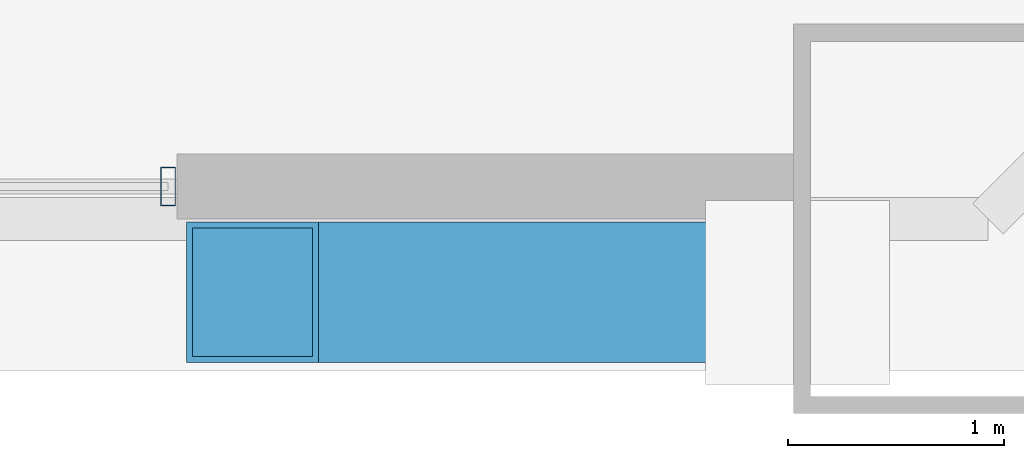
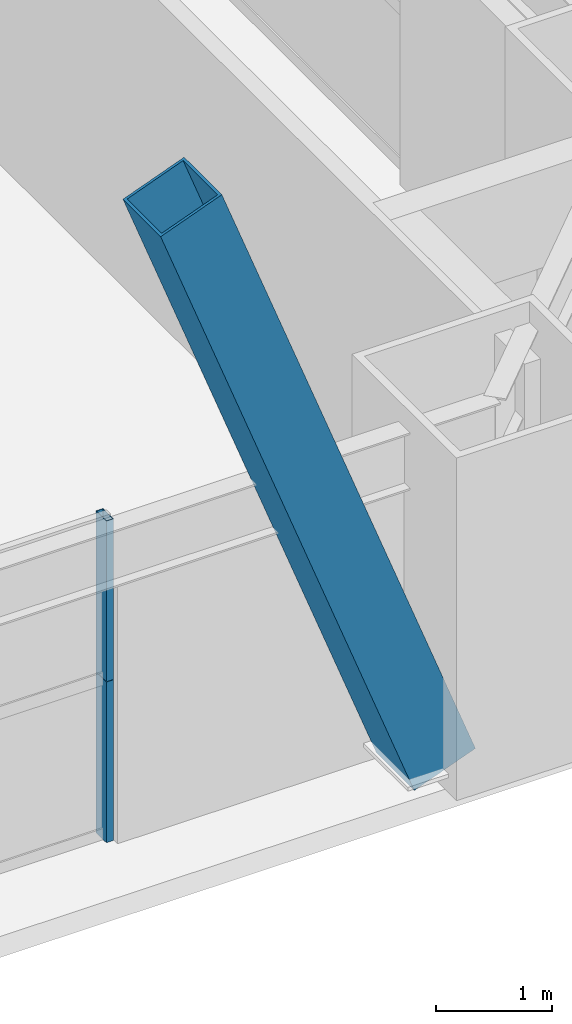
# One storey, part 15 of 43: 3 members, 1 element without a shape of its own.
"""IFC4 building model written with IfcOpenShell, lengths in metres."""

from ifc_helpers import new_model, si_unit, direction, frame, origin, origin_2d, place, context, subcontext, project, spatial, hollow_rectangle, extrude, source, transform, mapped, material, layer, layer_set, material_profile, profile_set, type_object, element, aggregate, save


model = new_model("IFC4")

# Units and contexts
model_context = context("Model", 3, precision=1e-05, world=origin(), true_north=direction((0.0, 1.0)))
body_context = subcontext(model_context, "Body", "Model", "MODEL_VIEW")
ifc_project = project(units=[si_unit("LENGTHUNIT", "METRE"), si_unit("AREAUNIT", "SQUARE_METRE"), si_unit("VOLUMEUNIT", "CUBIC_METRE"), si_unit("PLANEANGLEUNIT", "RADIAN"), si_unit("MASSUNIT", "GRAM", prefix="KILO"), si_unit("THERMODYNAMICTEMPERATUREUNIT", "KELVIN"), si_unit("POWERUNIT", "WATT")], contexts=[model_context])

# Site, building, storey
site_placement = place(None, origin())
site = spatial("IfcSite", under=ifc_project, at=site_placement, CompositionType="ELEMENT")
building_placement = place(site_placement, origin())
building = spatial("IfcBuilding", under=site, at=building_placement, Name="Yuzanri Waterfront Tower", CompositionType="ELEMENT")
storey_placement = place(building_placement, frame((0.0, 0.0, 67.60009765625)))
storey = spatial("IfcBuildingStorey", under=building, at=storey_placement, Name="L17", CompositionType="ELEMENT", Elevation=67.60009765625)

# Member
ifc_material_1 = material(Name="Steel Q420GJC", Category="steel")
ifc_material_profile_1 = material_profile(ifc_material_1, hollow_rectangle(XDim=0.64990234375, YDim=0.64990234375, WallThickness=0.028076171875, at=origin_2d()), Name="RHS 650x650x28")
ifc_profile_set_1 = profile_set([ifc_material_profile_1], Name="Steel Q420GJC")
member_type_1 = type_object("IfcMemberType", Name="Mega Brace Lower Q420GJC RHS 650x650x28", PredefinedType="BRACE", material=ifc_profile_set_1)
shared_shape_1 = source(origin(), body_context, "Body", "SweptSolid", [
    extrude(hollow_rectangle(XDim=0.64990234375, YDim=0.64990234375, WallThickness=0.028076171875, at=origin_2d()), origin(), (0.0, 0.0, 1.0), 7.158203125),
])
member_1_placement = place(storey_placement, frame((57.6201171875, 0.360107421875, 0.179931640625), z_axis=(-0.352046480343, 0.0, 0.935982518896), x_axis=(0.0, -1.0, 0.0)))
element("IfcMember", 1, at=member_1_placement, inside=storey, type_object=member_type_1, Name="L17-L18 Perimeter Mega-Brace S-R", PredefinedType="BRACE", context=body_context, shape_type="MappedRepresentation", body=[
    mapped(shared_shape_1, transform((0.0, 0.0, 0.0), scale=1.0)),
])

# Curtain wall, members
ifc_material_2 = material(Name="Anodized Architectural Bronze", Category="metal")
ifc_layer = layer(ifc_material_2, 0.159912109375)
ifc_layer_set = layer_set([ifc_layer], Name="Anodized Architectural Bronze")
curtain_wall_type = type_object("IfcCurtainWallType", Name="Anodized Bronze Hotel Lower-Tier Recessed Unitized Curtain Wall 8100", PredefinedType="NOTDEFINED", material=ifc_layer_set)
curtain_wall_placement = place(storey_placement, origin())
curtain_wall = element("IfcCurtainWall", 2, at=curtain_wall_placement, inside=storey, type_object=curtain_wall_type, Name="L17 Curtain Wall CW-L17-SR", PredefinedType="NOTDEFINED")
ifc_material_3 = material(Name="Anodized Architectural Bronze", Category="metal")
ifc_material_profile_2 = material_profile(ifc_material_3, hollow_rectangle(XDim=0.070068359375, YDim=0.179931640625, WallThickness=0.00390625, at=origin_2d()), Name="CWM 70x180")
ifc_profile_set_2 = profile_set([ifc_material_profile_2], Name="Anodized Architectural Bronze")
member_type_2 = type_object("IfcMemberType", Name="Anodized Bronze Standard Curtain-Wall Mullion 70x180", PredefinedType="MULLION", material=ifc_profile_set_2)
shared_shape_2 = source(origin(), body_context, "Body", "SweptSolid", [
    extrude(hollow_rectangle(XDim=0.070068359375, YDim=0.179931640625, WallThickness=0.00390625, at=origin_2d()), origin(), (0.0, 0.0, 1.0), 1.68798828125),
])
member_2_placement = place(storey_placement, frame((54.7099609375, 0.85009765625, 0.0), z_axis=(0.0, 0.0, 1.0), x_axis=(1.0, 0.0, 0.0)))
member_2 = element("IfcMember", 3, at=member_2_placement, type_object=member_type_2, Name="CW-L17-SR Lower Mullion 02", PredefinedType="MULLION", context=body_context, shape_type="MappedRepresentation", body=[
    mapped(shared_shape_2, transform((0.0, 0.0, 0.0), scale=1.0)),
])
member_3_placement = place(storey_placement, frame((54.7099609375, 0.85009765625, 1.69189453125), z_axis=(0.0, 0.0, 1.0), x_axis=(1.0, 0.0, 0.0)))
member_3 = element("IfcMember", 4, at=member_3_placement, type_object=member_type_2, Name="CW-L17-SR Upper Mullion 02", PredefinedType="MULLION", context=body_context, shape_type="MappedRepresentation", body=[
    mapped(shared_shape_2, transform((0.0, 0.0, 0.0), scale=1.0)),
])
aggregate(curtain_wall, [member_2, member_3])

save(model, "model.ifc")
